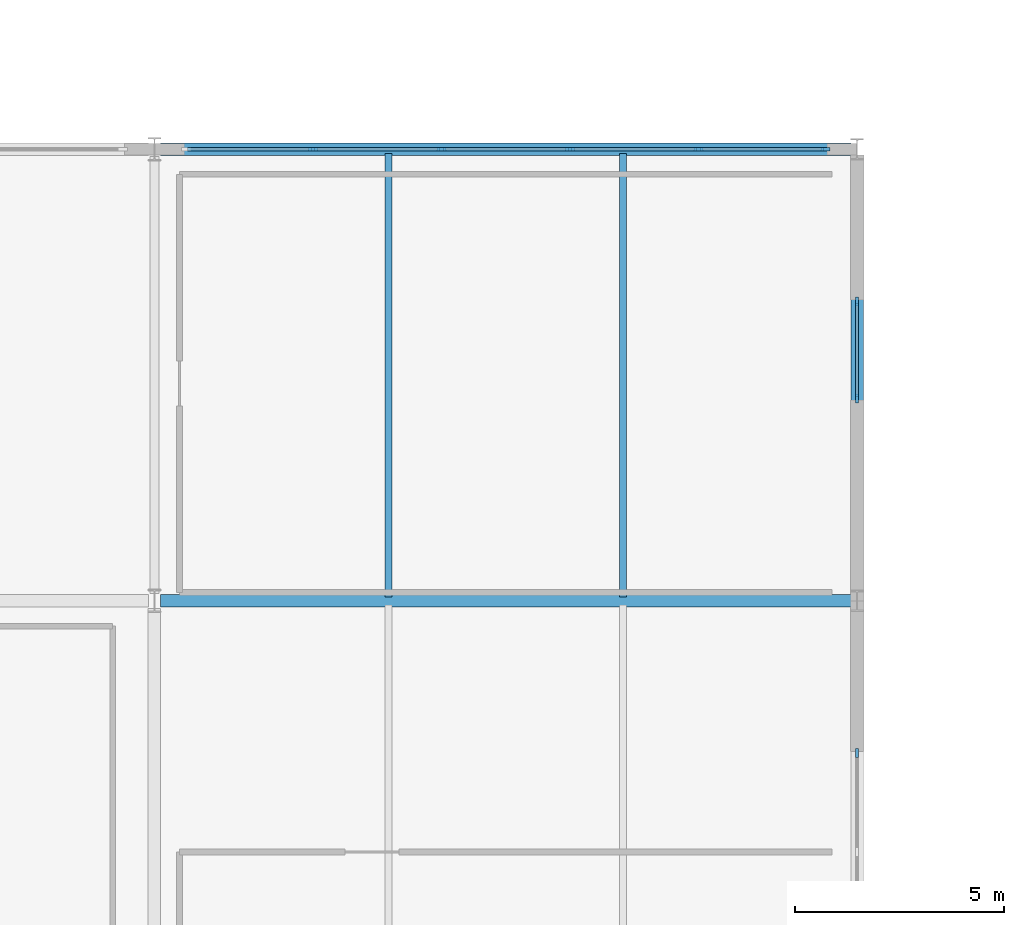
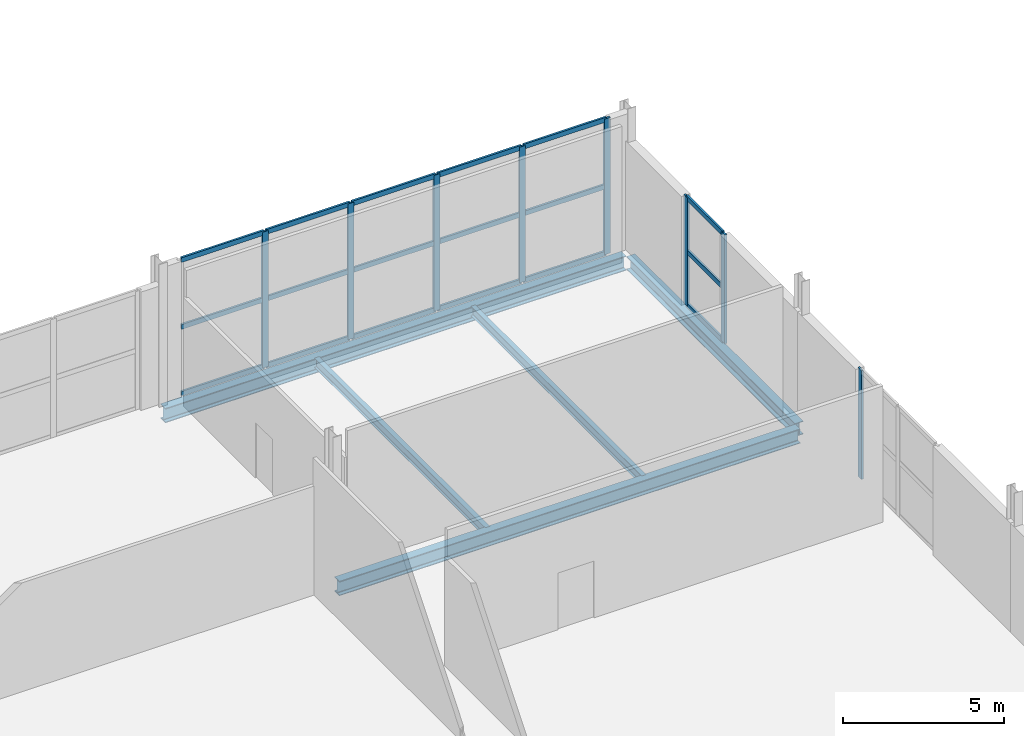
# One storey, part 47 of 84: 26 members, 5 beams, 3 elements without a shape of their own.
"""IFC4 building model written with IfcOpenShell, lengths in metres."""

from ifc_helpers import new_model, si_unit, direction, frame, origin, origin_2d, place, context, subcontext, project, spatial, rectangle, i_section, extrude, material, material_profile, profile_set, type_object, element, aggregate, save


model = new_model("IFC4")

# Units and contexts
model_context = context("Model", 3, precision=1e-05, world=origin(), true_north=direction((0.0, 1.0)))
body_context = subcontext(model_context, "Body", "Model", "MODEL_VIEW")
ifc_project = project(units=[si_unit("LENGTHUNIT", "METRE"), si_unit("AREAUNIT", "SQUARE_METRE"), si_unit("VOLUMEUNIT", "CUBIC_METRE"), si_unit("PLANEANGLEUNIT", "RADIAN"), si_unit("MASSUNIT", "GRAM", prefix="KILO")], contexts=[model_context])

# Site, building, storey
site_placement = place(None, origin())
site = spatial("IfcSite", under=ifc_project, at=site_placement, CompositionType="ELEMENT")
building_placement = place(site_placement, origin())
building = spatial("IfcBuilding", under=site, at=building_placement, Name="Kimbaza Rail Terminus", CompositionType="ELEMENT")
storey_placement = place(building_placement, frame((0.0, 0.0, 5.39990234375)))
storey = spatial("IfcBuildingStorey", under=building, at=storey_placement, Name="L01", CompositionType="ELEMENT", Elevation=5.39990234375)

# Curtain wall, members
ifc_material_1 = material(Name="Anodised aluminium framing and solar low-E glazing", Category="aluminium")
curtain_wall_type = type_object("IfcCurtainWallType", Name="ARC-CW-TH1", PredefinedType="USERDEFINED", material=ifc_material_1)
curtain_wall_1_placement = place(storey_placement, origin())
curtain_wall_1 = element("IfcCurtainWall", 1, at=curtain_wall_1_placement, inside=storey, type_object=curtain_wall_type, Name="Ticket Hall Wing E Curtain Wall L01.2", ObjectType="UNITISED CURTAIN WALL", PredefinedType="USERDEFINED")
ifc_material_2 = material(Name="Anodised architectural aluminium", Category="aluminium")
ifc_material_profile_1 = material_profile(ifc_material_2, rectangle(XDim=0.074951171875, YDim=0.219970703125, at=origin_2d()), Name="MULLION 75x220")
ifc_profile_set_1 = profile_set([ifc_material_profile_1], Name="Anodised architectural aluminium")
member_type_1 = type_object("IfcMemberType", Name="ARC-CWM-01", PredefinedType="MULLION", material=ifc_profile_set_1)
member_1_placement = place(storey_placement, frame((176.592041015625, 91.0, 0.0), z_axis=(0.0, 0.0, 1.0), x_axis=(0.0, 1.0, 0.0)))
member_1 = element("IfcMember", 2, at=member_1_placement, type_object=member_type_1, Name="CW-01 mullion 2", PredefinedType="MULLION", context=body_context, shape_type="SweptSolid", body=[
    extrude(rectangle(XDim=0.074951171875, YDim=0.219970703125, at=origin_2d()), origin(), (0.0, 0.0, 1.0), 5.14013671875),
])
member_2_placement = place(storey_placement, frame((179.6640625, 91.0, 0.0), z_axis=(0.0, 0.0, 1.0), x_axis=(0.0, 1.0, 0.0)))
member_2 = element("IfcMember", 3, at=member_2_placement, type_object=member_type_1, Name="CW-01 mullion 3", PredefinedType="MULLION", context=body_context, shape_type="SweptSolid", body=[
    extrude(rectangle(XDim=0.074951171875, YDim=0.219970703125, at=origin_2d()), origin(), (0.0, 0.0, 1.0), 5.14013671875),
])
member_3_placement = place(storey_placement, frame((182.736083984375, 91.0, 0.0), z_axis=(0.0, 0.0, 1.0), x_axis=(0.0, 1.0, 0.0)))
member_3 = element("IfcMember", 4, at=member_3_placement, type_object=member_type_1, Name="CW-01 mullion 4", PredefinedType="MULLION", context=body_context, shape_type="SweptSolid", body=[
    extrude(rectangle(XDim=0.074951171875, YDim=0.219970703125, at=origin_2d()), origin(), (0.0, 0.0, 1.0), 5.14013671875),
])
member_4_placement = place(storey_placement, frame((185.80810546875, 91.0, 0.0), z_axis=(0.0, 0.0, 1.0), x_axis=(0.0, 1.0, 0.0)))
member_4 = element("IfcMember", 5, at=member_4_placement, type_object=member_type_1, Name="CW-01 mullion 5", PredefinedType="MULLION", context=body_context, shape_type="SweptSolid", body=[
    extrude(rectangle(XDim=0.074951171875, YDim=0.219970703125, at=origin_2d()), origin(), (0.0, 0.0, 1.0), 5.14013671875),
])
member_5_placement = place(storey_placement, frame((188.842529296875, 91.0, 0.0), z_axis=(0.0, 0.0, 1.0), x_axis=(0.0, 1.0, 0.0)))
member_5 = element("IfcMember", 6, at=member_5_placement, type_object=member_type_1, Name="CW-01 mullion 6", PredefinedType="MULLION", context=body_context, shape_type="SweptSolid", body=[
    extrude(rectangle(XDim=0.074951171875, YDim=0.219970703125, at=origin_2d()), origin(), (0.0, 0.0, 1.0), 5.14013671875),
])

# Curtain wall, member
curtain_wall_2_placement = place(storey_placement, origin())
curtain_wall_2 = element("IfcCurtainWall", 7, at=curtain_wall_2_placement, inside=storey, type_object=curtain_wall_type, Name="Ticket Hall E Glazing L01.2", ObjectType="UNITISED CURTAIN WALL", PredefinedType="USERDEFINED")
member_6_placement = place(storey_placement, frame((189.60009765625, 76.5625, 0.0), z_axis=(0.0, 0.0, 1.0), x_axis=(-1.0, 0.0, 0.0)))
member_6 = element("IfcMember", 8, at=member_6_placement, type_object=member_type_1, Name="CW-01 mullion 3", PredefinedType="MULLION", context=body_context, shape_type="SweptSolid", body=[
    extrude(rectangle(XDim=0.074951171875, YDim=0.219970703125, at=origin_2d()), origin(), (0.0, 0.0, 1.0), 4.125),
])
aggregate(curtain_wall_2, [member_6])

# Curtain wall, members
curtain_wall_3_placement = place(storey_placement, origin())
curtain_wall_3 = element("IfcCurtainWall", 9, at=curtain_wall_3_placement, inside=storey, type_object=curtain_wall_type, Name="Ticket Hall E Glazing L01.3", ObjectType="UNITISED CURTAIN WALL", PredefinedType="USERDEFINED")
member_7_placement = place(storey_placement, frame((189.60009765625, 85.03759765625, 0.0), z_axis=(0.0, 0.0, 1.0), x_axis=(-1.0, 0.0, 0.0)))
member_7 = element("IfcMember", 10, at=member_7_placement, type_object=member_type_1, Name="CW-01 mullion 1", PredefinedType="MULLION", context=body_context, shape_type="SweptSolid", body=[
    extrude(rectangle(XDim=0.074951171875, YDim=0.219970703125, at=origin_2d()), origin(), (0.0, 0.0, 1.0), 4.125),
])
member_8_placement = place(storey_placement, frame((189.60009765625, 87.362548828125, 0.0), z_axis=(0.0, 0.0, 1.0), x_axis=(-1.0, 0.0, 0.0)))
member_8 = element("IfcMember", 11, at=member_8_placement, type_object=member_type_1, Name="CW-01 mullion 2", PredefinedType="MULLION", context=body_context, shape_type="SweptSolid", body=[
    extrude(rectangle(XDim=0.074951171875, YDim=0.219970703125, at=origin_2d()), origin(), (0.0, 0.0, 1.0), 4.125),
])

# Member
ifc_material_3 = material(Name="Anodised architectural aluminium", Category="aluminium")
ifc_material_profile_2 = material_profile(ifc_material_3, rectangle(XDim=0.074951171875, YDim=0.179931640625, at=origin_2d()), Name="TRANSOM 75x180")
ifc_profile_set_2 = profile_set([ifc_material_profile_2], Name="Anodised architectural aluminium")
member_type_2 = type_object("IfcMemberType", Name="ARC-CWT-01", PredefinedType="USERDEFINED", material=ifc_profile_set_2)
member_9_placement = place(storey_placement, frame((173.594970703125, 91.0, 0.03759765625), z_axis=(1.0, 0.0, 0.0), x_axis=(0.0, 1.0, 0.0)))
member_9 = element("IfcMember", 12, at=member_9_placement, type_object=member_type_2, Name="CW-01 transom 1.1", ObjectType="TRANSOM", PredefinedType="USERDEFINED", context=body_context, shape_type="SweptSolid", body=[
    extrude(rectangle(XDim=0.074951171875, YDim=0.179931640625, at=origin_2d()), origin(), (0.0, 0.0, 1.0), 2.95947265625),
])

member_10_placement = place(storey_placement, frame((173.594970703125, 91.0, 2.570068359375), z_axis=(1.0, 0.0, 0.0), x_axis=(0.0, 1.0, 0.0)))
member_10 = element("IfcMember", 13, at=member_10_placement, type_object=member_type_2, Name="CW-01 transom 1.2", ObjectType="TRANSOM", PredefinedType="USERDEFINED", context=body_context, shape_type="SweptSolid", body=[
    extrude(rectangle(XDim=0.074951171875, YDim=0.179931640625, at=origin_2d()), origin(), (0.0, 0.0, 1.0), 2.95947265625),
])

member_11_placement = place(storey_placement, frame((173.594970703125, 91.0, 5.1025390625), z_axis=(1.0, 0.0, 0.0), x_axis=(0.0, 1.0, 0.0)))
member_11 = element("IfcMember", 14, at=member_11_placement, type_object=member_type_2, Name="CW-01 transom 1.3", ObjectType="TRANSOM", PredefinedType="USERDEFINED", context=body_context, shape_type="SweptSolid", body=[
    extrude(rectangle(XDim=0.074951171875, YDim=0.179931640625, at=origin_2d()), origin(), (0.0, 0.0, 1.0), 2.95947265625),
])

member_12_placement = place(storey_placement, frame((176.62939453125, 91.0, 0.03759765625), z_axis=(1.0, 0.0, 0.0), x_axis=(0.0, 1.0, 0.0)))
member_12 = element("IfcMember", 15, at=member_12_placement, type_object=member_type_2, Name="CW-01 transom 2.1", ObjectType="TRANSOM", PredefinedType="USERDEFINED", context=body_context, shape_type="SweptSolid", body=[
    extrude(rectangle(XDim=0.074951171875, YDim=0.179931640625, at=origin_2d()), origin(), (0.0, 0.0, 1.0), 2.9970703125),
])

member_13_placement = place(storey_placement, frame((176.62939453125, 91.0, 2.570068359375), z_axis=(1.0, 0.0, 0.0), x_axis=(0.0, 1.0, 0.0)))
member_13 = element("IfcMember", 16, at=member_13_placement, type_object=member_type_2, Name="CW-01 transom 2.2", ObjectType="TRANSOM", PredefinedType="USERDEFINED", context=body_context, shape_type="SweptSolid", body=[
    extrude(rectangle(XDim=0.074951171875, YDim=0.179931640625, at=origin_2d()), origin(), (0.0, 0.0, 1.0), 2.9970703125),
])

member_14_placement = place(storey_placement, frame((176.62939453125, 91.0, 5.1025390625), z_axis=(1.0, 0.0, 0.0), x_axis=(0.0, 1.0, 0.0)))
member_14 = element("IfcMember", 17, at=member_14_placement, type_object=member_type_2, Name="CW-01 transom 2.3", ObjectType="TRANSOM", PredefinedType="USERDEFINED", context=body_context, shape_type="SweptSolid", body=[
    extrude(rectangle(XDim=0.074951171875, YDim=0.179931640625, at=origin_2d()), origin(), (0.0, 0.0, 1.0), 2.9970703125),
])

member_15_placement = place(storey_placement, frame((179.701416015625, 91.0, 0.03759765625), z_axis=(1.0, 0.0, 0.0), x_axis=(0.0, 1.0, 0.0)))
member_15 = element("IfcMember", 18, at=member_15_placement, type_object=member_type_2, Name="CW-01 transom 3.1", ObjectType="TRANSOM", PredefinedType="USERDEFINED", context=body_context, shape_type="SweptSolid", body=[
    extrude(rectangle(XDim=0.074951171875, YDim=0.179931640625, at=origin_2d()), origin(), (0.0, 0.0, 1.0), 2.9970703125),
])

member_16_placement = place(storey_placement, frame((179.701416015625, 91.0, 2.570068359375), z_axis=(1.0, 0.0, 0.0), x_axis=(0.0, 1.0, 0.0)))
member_16 = element("IfcMember", 19, at=member_16_placement, type_object=member_type_2, Name="CW-01 transom 3.2", ObjectType="TRANSOM", PredefinedType="USERDEFINED", context=body_context, shape_type="SweptSolid", body=[
    extrude(rectangle(XDim=0.074951171875, YDim=0.179931640625, at=origin_2d()), origin(), (0.0, 0.0, 1.0), 2.9970703125),
])

member_17_placement = place(storey_placement, frame((179.701416015625, 91.0, 5.1025390625), z_axis=(1.0, 0.0, 0.0), x_axis=(0.0, 1.0, 0.0)))
member_17 = element("IfcMember", 20, at=member_17_placement, type_object=member_type_2, Name="CW-01 transom 3.3", ObjectType="TRANSOM", PredefinedType="USERDEFINED", context=body_context, shape_type="SweptSolid", body=[
    extrude(rectangle(XDim=0.074951171875, YDim=0.179931640625, at=origin_2d()), origin(), (0.0, 0.0, 1.0), 2.9970703125),
])

member_18_placement = place(storey_placement, frame((182.7734375, 91.0, 0.03759765625), z_axis=(1.0, 0.0, 0.0), x_axis=(0.0, 1.0, 0.0)))
member_18 = element("IfcMember", 21, at=member_18_placement, type_object=member_type_2, Name="CW-01 transom 4.1", ObjectType="TRANSOM", PredefinedType="USERDEFINED", context=body_context, shape_type="SweptSolid", body=[
    extrude(rectangle(XDim=0.074951171875, YDim=0.179931640625, at=origin_2d()), origin(), (0.0, 0.0, 1.0), 2.9970703125),
])

member_19_placement = place(storey_placement, frame((182.7734375, 91.0, 2.570068359375), z_axis=(1.0, 0.0, 0.0), x_axis=(0.0, 1.0, 0.0)))
member_19 = element("IfcMember", 22, at=member_19_placement, type_object=member_type_2, Name="CW-01 transom 4.2", ObjectType="TRANSOM", PredefinedType="USERDEFINED", context=body_context, shape_type="SweptSolid", body=[
    extrude(rectangle(XDim=0.074951171875, YDim=0.179931640625, at=origin_2d()), origin(), (0.0, 0.0, 1.0), 2.9970703125),
])

member_20_placement = place(storey_placement, frame((182.7734375, 91.0, 5.1025390625), z_axis=(1.0, 0.0, 0.0), x_axis=(0.0, 1.0, 0.0)))
member_20 = element("IfcMember", 23, at=member_20_placement, type_object=member_type_2, Name="CW-01 transom 4.3", ObjectType="TRANSOM", PredefinedType="USERDEFINED", context=body_context, shape_type="SweptSolid", body=[
    extrude(rectangle(XDim=0.074951171875, YDim=0.179931640625, at=origin_2d()), origin(), (0.0, 0.0, 1.0), 2.9970703125),
])

member_21_placement = place(storey_placement, frame((185.845458984375, 91.0, 0.03759765625), z_axis=(1.0, 0.0, 0.0), x_axis=(0.0, 1.0, 0.0)))
member_21 = element("IfcMember", 24, at=member_21_placement, type_object=member_type_2, Name="CW-01 transom 5.1", ObjectType="TRANSOM", PredefinedType="USERDEFINED", context=body_context, shape_type="SweptSolid", body=[
    extrude(rectangle(XDim=0.074951171875, YDim=0.179931640625, at=origin_2d()), origin(), (0.0, 0.0, 1.0), 2.95947265625),
])

member_22_placement = place(storey_placement, frame((185.845458984375, 91.0, 2.570068359375), z_axis=(1.0, 0.0, 0.0), x_axis=(0.0, 1.0, 0.0)))
member_22 = element("IfcMember", 25, at=member_22_placement, type_object=member_type_2, Name="CW-01 transom 5.2", ObjectType="TRANSOM", PredefinedType="USERDEFINED", context=body_context, shape_type="SweptSolid", body=[
    extrude(rectangle(XDim=0.074951171875, YDim=0.179931640625, at=origin_2d()), origin(), (0.0, 0.0, 1.0), 2.95947265625),
])

member_23_placement = place(storey_placement, frame((185.845458984375, 91.0, 5.1025390625), z_axis=(1.0, 0.0, 0.0), x_axis=(0.0, 1.0, 0.0)))
member_23 = element("IfcMember", 26, at=member_23_placement, type_object=member_type_2, Name="CW-01 transom 5.3", ObjectType="TRANSOM", PredefinedType="USERDEFINED", context=body_context, shape_type="SweptSolid", body=[
    extrude(rectangle(XDim=0.074951171875, YDim=0.179931640625, at=origin_2d()), origin(), (0.0, 0.0, 1.0), 2.95947265625),
])

aggregate(curtain_wall_1, [member_1, member_2, member_3, member_4, member_5, member_9, member_10, member_11, member_12, member_13, member_14, member_15, member_16, member_17, member_18, member_19, member_20, member_21, member_22, member_23])

member_24_placement = place(storey_placement, frame((189.60009765625, 85.074951171875, 0.03759765625), z_axis=(0.0, 1.0, 0.0), x_axis=(-1.0, 0.0, 0.0)))
member_24 = element("IfcMember", 27, at=member_24_placement, type_object=member_type_2, Name="CW-01 transom 1.1", ObjectType="TRANSOM", PredefinedType="USERDEFINED", context=body_context, shape_type="SweptSolid", body=[
    extrude(rectangle(XDim=0.074951171875, YDim=0.179931640625, at=origin_2d()), origin(), (0.0, 0.0, 1.0), 2.25),
])

member_25_placement = place(storey_placement, frame((189.60009765625, 85.074951171875, 2.0625), z_axis=(0.0, 1.0, 0.0), x_axis=(-1.0, 0.0, 0.0)))
member_25 = element("IfcMember", 28, at=member_25_placement, type_object=member_type_2, Name="CW-01 transom 1.2", ObjectType="TRANSOM", PredefinedType="USERDEFINED", context=body_context, shape_type="SweptSolid", body=[
    extrude(rectangle(XDim=0.074951171875, YDim=0.179931640625, at=origin_2d()), origin(), (0.0, 0.0, 1.0), 2.25),
])

member_26_placement = place(storey_placement, frame((189.60009765625, 85.074951171875, 4.087646484375), z_axis=(0.0, 1.0, 0.0), x_axis=(-1.0, 0.0, 0.0)))
member_26 = element("IfcMember", 29, at=member_26_placement, type_object=member_type_2, Name="CW-01 transom 1.3", ObjectType="TRANSOM", PredefinedType="USERDEFINED", context=body_context, shape_type="SweptSolid", body=[
    extrude(rectangle(XDim=0.074951171875, YDim=0.179931640625, at=origin_2d()), origin(), (0.0, 0.0, 1.0), 2.25),
])

aggregate(curtain_wall_3, [member_7, member_8, member_24, member_25, member_26])

# Beams
ifc_material_4 = material(Name="Steel S355", Category="steel")
ifc_material_profile_3 = material_profile(ifc_material_4, i_section(OverallWidth=0.300048828125, OverallDepth=0.5, WebThickness=0.014404296875, FlangeThickness=0.028076171875, FilletRadius=0.027099609375, at=origin_2d()), Name="HEB 500")
ifc_profile_set_3 = profile_set([ifc_material_profile_3], Name="Steel S355")
beam_type_1 = type_object("IfcBeamType", Name="STR-BM-HEB500", PredefinedType="BEAM", material=ifc_profile_set_3)
beam_placement = place(storey_placement, frame((189.60009765625, 80.375, -0.469970703125), z_axis=(0.0, 1.0, 0.0), x_axis=(-1.0, 0.0, 0.0)))
element("IfcBeam", 30, at=beam_placement, inside=storey, type_object=beam_type_1, Name="Beam BM-V2WY-L01-3-80", PredefinedType="BEAM", context=body_context, shape_type="SweptSolid", body=[
    extrude(i_section(OverallWidth=0.300048828125, OverallDepth=0.5, WebThickness=0.014404296875, FlangeThickness=0.028076171875, FilletRadius=0.027099609375, at=origin_2d()), origin(), (0.0, 0.0, 1.0), 10.449951171875),
])
ifc_material_5 = material(Name="Steel S355", Category="steel")
ifc_material_profile_4 = material_profile(ifc_material_5, i_section(OverallWidth=0.300048828125, OverallDepth=0.550048828125, WebThickness=0.014892578125, FlangeThickness=0.029052734375, FilletRadius=0.027099609375, at=origin_2d()), Name="HEB 550")
ifc_profile_set_4 = profile_set([ifc_material_profile_4], Name="Steel S355")
beam_type_2 = type_object("IfcBeamType", Name="STR-BM-HEB550", PredefinedType="BEAM", material=ifc_profile_set_4)
for number, where, z_axis, x_axis, name in (
    (31, (172.946044921875, 80.199951171875, -0.494873046875), (1.0, 0.0, 0.0), (0.0, 1.0, 0.0), "Beam BM-V2X-L01-80-8"),
    (32, (172.946044921875, 91.0, -0.494873046875), (1.0, 0.0, 0.0), (0.0, 1.0, 0.0), "Beam BM-V2X-L01-91-8"),
):
    element("IfcBeam", number, at=place(storey_placement, frame(where, z_axis=z_axis, x_axis=x_axis)), inside=storey, type_object=beam_type_2, Name=name, PredefinedType="BEAM", context=body_context, shape_type="SweptSolid", body=[
        extrude(i_section(OverallWidth=0.300048828125, OverallDepth=0.550048828125, WebThickness=0.014892578125, FlangeThickness=0.029052734375, FilletRadius=0.027099609375, at=origin_2d()), origin(), (0.0, 0.0, 1.0), 16.508056640625),
    ])
ifc_material_6 = material(Name="Steel S355", Category="steel")
ifc_material_profile_5 = material_profile(ifc_material_6, i_section(OverallWidth=0.169921875, OverallDepth=0.360107421875, WebThickness=0.008056640625, FlangeThickness=0.0126953125, FilletRadius=0.01806640625, at=origin_2d()), Name="IPE 360")
ifc_profile_set_5 = profile_set([ifc_material_profile_5], Name="Steel S355")
beam_type_3 = type_object("IfcBeamType", Name="STR-BM-IPE360", PredefinedType="JOIST", material=ifc_profile_set_5)
for number, where, z_axis, x_axis, name in (
    (33, (178.39990234375, 80.300048828125, -0.39990234375), (0.0, 1.0, 0.0), (-1.0, 0.0, 0.0), "Beam JST-V2W-L01-3-1-80"),
    (34, (184.0, 80.300048828125, -0.39990234375), (0.0, 1.0, 0.0), (-1.0, 0.0, 0.0), "Beam JST-V2W-L01-3-2-80"),
):
    element("IfcBeam", number, at=place(storey_placement, frame(where, z_axis=z_axis, x_axis=x_axis)), inside=storey, type_object=beam_type_3, Name=name, PredefinedType="JOIST", context=body_context, shape_type="SweptSolid", body=[
        extrude(i_section(OverallWidth=0.169921875, OverallDepth=0.360107421875, WebThickness=0.008056640625, FlangeThickness=0.0126953125, FilletRadius=0.01806640625, at=origin_2d()), origin(), (0.0, 0.0, 1.0), 10.599853515625),
    ])

save(model, "model.ifc")
